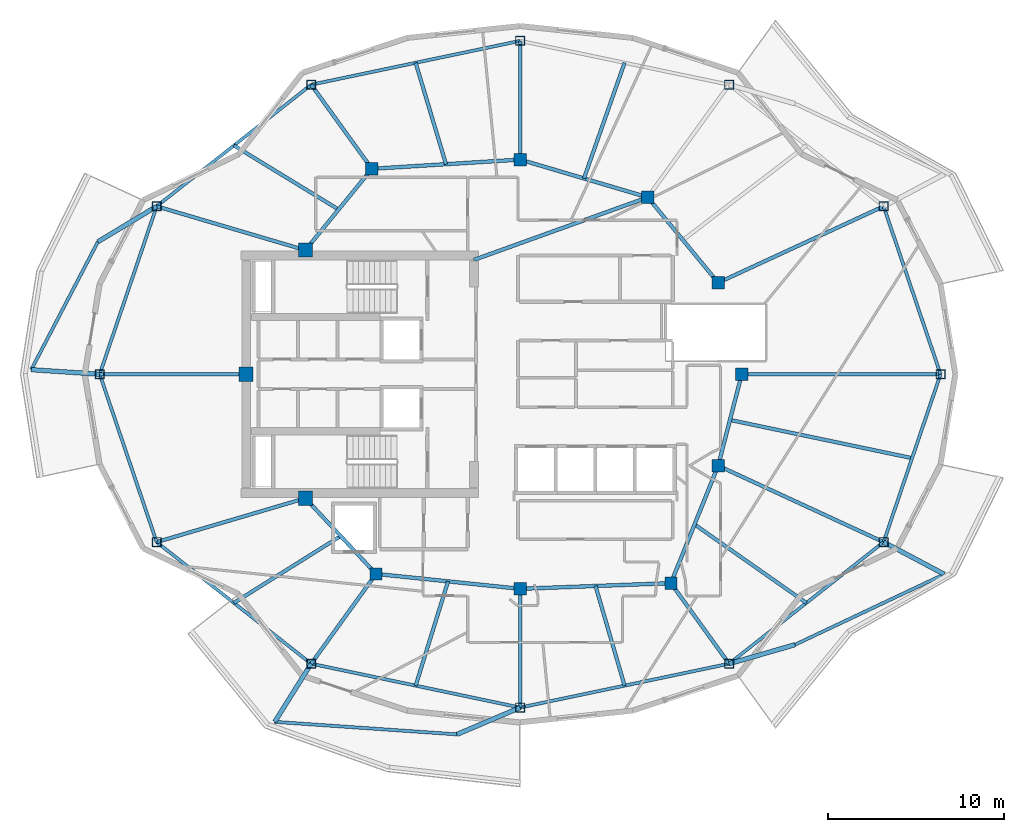
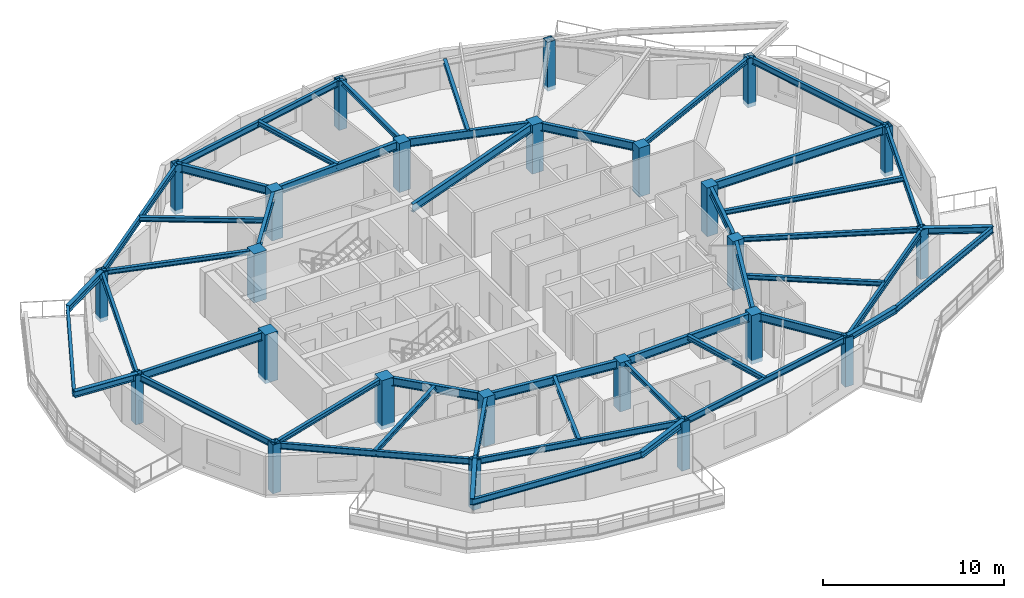
# One storey, part 1 of 10: 48 beams, 24 columns.
"""IFC4 building model written with IfcOpenShell, lengths in metres."""

from ifc_helpers import new_model, si_unit, direction, frame, origin, origin_2d, place, context, subcontext, project, spatial, rectangle, hollow_rectangle, i_section, extrude, material, material_profile, profile_set, type_object, element, save


model = new_model("IFC4")

# Units and contexts
model_context = context("Model", 3, precision=1e-05, world=origin(), true_north=direction((0.0, 1.0)))
body_context = subcontext(model_context, "Body", "Model", "MODEL_VIEW")
ifc_project = project(units=[si_unit("LENGTHUNIT", "METRE"), si_unit("AREAUNIT", "SQUARE_METRE"), si_unit("VOLUMEUNIT", "CUBIC_METRE"), si_unit("PLANEANGLEUNIT", "RADIAN"), si_unit("MASSUNIT", "GRAM", prefix="KILO")], contexts=[model_context])

# Site, building, storey
site_placement = place(None, origin())
site = spatial("IfcSite", under=ifc_project, at=site_placement, CompositionType="ELEMENT")
building_placement = place(site_placement, origin())
building = spatial("IfcBuilding", under=site, at=building_placement, Name="Kolvaren Gate Tower and Convention Centre", CompositionType="ELEMENT")
storey_placement = place(building_placement, frame((0.0, 0.0, 203.0)))
storey = spatial("IfcBuildingStorey", under=building, at=storey_placement, Name="L53", CompositionType="ELEMENT", Elevation=203.0)

# Columns
ifc_material_1 = material(Name="Structural steel ASTM A500 Grade C 345 MPa", Category="steel")
ifc_material_profile_1 = material_profile(ifc_material_1, hollow_rectangle(XDim=0.508056640625, YDim=0.508056640625, WallThickness=0.01904296875, at=origin_2d()), Name="HSS508X508X19.1")
ifc_profile_set_1 = profile_set([ifc_material_profile_1], Name="Structural steel ASTM A500 Grade C 345 MPa")
column_type_1 = type_object("IfcColumnType", Name="STR-COL-HSS508", PredefinedType="COLUMN", material=ifc_profile_set_1)
for number, where, z_axis, x_axis, name in (
    (1, (54.02490234375, 27.0, -0.27001953125), (0.0, 0.0, 1.0), (1.0, 0.0, 0.0), "Tower L53 Perimeter Supercolumn TP-01"),
    (2, (50.787353515625, 36.543701171875, -0.27001953125), (0.0, 0.0, 1.0), (1.0, 0.0, 0.0), "Tower L53 Perimeter Supercolumn TP-02"),
    (3, (42.002685546875, 43.4580078125, -0.27001953125), (0.0, 0.0, 1.0), (1.0, 0.0, 0.0), "Tower L53 Perimeter Supercolumn TP-03"),
    (4, (30.125, 45.949951171875, -0.27001953125), (0.0, 0.0, 1.0), (1.0, 0.0, 0.0), "Tower L53 Perimeter Supercolumn TP-04"),
    (5, (18.247314453125, 43.4580078125, -0.27001953125), (0.0, 0.0, 1.0), (1.0, 0.0, 0.0), "Tower L53 Perimeter Supercolumn TP-05"),
    (6, (9.462646484375, 36.543701171875, -0.27001953125), (0.0, 0.0, 1.0), (1.0, 0.0, 0.0), "Tower L53 Perimeter Supercolumn TP-06"),
    (7, (6.22509765625, 27.0, -0.27001953125), (0.0, 0.0, 1.0), (1.0, 0.0, 0.0), "Tower L53 Perimeter Supercolumn TP-07"),
    (8, (9.462646484375, 17.456298828125, -0.27001953125), (0.0, 0.0, 1.0), (1.0, 0.0, 0.0), "Tower L53 Perimeter Supercolumn TP-08"),
    (9, (18.247314453125, 10.5419921875, -0.27001953125), (0.0, 0.0, 1.0), (1.0, 0.0, 0.0), "Tower L53 Perimeter Supercolumn TP-09"),
    (10, (30.125, 8.050048828125, -0.27001953125), (0.0, 0.0, 1.0), (1.0, 0.0, 0.0), "Tower L53 Perimeter Supercolumn TP-10"),
    (11, (42.002685546875, 10.5419921875, -0.27001953125), (0.0, 0.0, 1.0), (1.0, 0.0, 0.0), "Tower L53 Perimeter Supercolumn TP-11"),
    (12, (50.787353515625, 17.456298828125, -0.27001953125), (0.0, 0.0, 1.0), (1.0, 0.0, 0.0), "Tower L53 Perimeter Supercolumn TP-12"),
):
    element("IfcColumn", number, at=place(storey_placement, frame(where, z_axis=z_axis, x_axis=x_axis)), inside=storey, type_object=column_type_1, Name=name, PredefinedType="COLUMN", context=body_context, shape_type="SweptSolid", body=[
        extrude(hollow_rectangle(XDim=0.508056640625, YDim=0.508056640625, WallThickness=0.01904296875, at=origin_2d()), origin(), (0.0, 0.0, 1.0), 3.300048828125),
    ])
ifc_material_2 = material(Name="Concrete C50/60", Category="concrete")
ifc_material_profile_2 = material_profile(ifc_material_2, rectangle(XDim=0.699951171875, YDim=0.699951171875, at=origin_2d()), Name="RC-COL-700X700")
ifc_profile_set_2 = profile_set([ifc_material_profile_2], Name="Concrete C50/60")
column_type_2 = type_object("IfcColumnType", Name="STR-COL-RC700", PredefinedType="COLUMN", material=ifc_profile_set_2)
for number, where, z_axis, x_axis, name in (
    (13, (42.72509765625, 27.0, -0.27001953125), (0.0, 0.0, 1.0), (1.0, 0.0, 0.0), "Tower L53 Interior Column TI-01"),
    (14, (41.382080078125, 32.199462890625, -0.27001953125), (0.0, 0.0, 1.0), (1.0, 0.0, 0.0), "Tower L53 Interior Column TI-02"),
    (15, (37.381591796875, 37.054931640625, -0.27001953125), (0.0, 0.0, 1.0), (1.0, 0.0, 0.0), "Tower L53 Interior Column TI-03"),
    (16, (30.125, 39.199951171875, -0.27001953125), (0.0, 0.0, 1.0), (1.0, 0.0, 0.0), "Tower L53 Interior Column TI-04"),
    (17, (21.697998046875, 38.6767578125, -0.27001953125), (0.0, 0.0, 1.0), (1.0, 0.0, 0.0), "Tower L53 Interior Column TI-05"),
    (18, (21.93212890625, 15.647705078125, -0.27001953125), (0.0, 0.0, 1.0), (1.0, 0.0, 0.0), "Tower L53 Interior Column TI-06"),
    (19, (30.125, 14.800048828125, -0.27001953125), (0.0, 0.0, 1.0), (1.0, 0.0, 0.0), "Tower L53 Interior Column TI-07"),
    (20, (38.6982421875, 15.12060546875, -0.27001953125), (0.0, 0.0, 1.0), (1.0, 0.0, 0.0), "Tower L53 Interior Column TI-08"),
    (21, (41.382080078125, 21.800537109375, -0.27001953125), (0.0, 0.0, 1.0), (1.0, 0.0, 0.0), "Tower L53 Interior Column TI-09"),
):
    element("IfcColumn", number, at=place(storey_placement, frame(where, z_axis=z_axis, x_axis=x_axis)), inside=storey, type_object=column_type_2, Name=name, PredefinedType="COLUMN", context=body_context, shape_type="SweptSolid", body=[
        extrude(rectangle(XDim=0.699951171875, YDim=0.699951171875, at=origin_2d()), origin(), (0.0, 0.0, 1.0), 3.300048828125),
    ])
ifc_material_3 = material(Name="Concrete C60/75", Category="concrete")
ifc_material_profile_3 = material_profile(ifc_material_3, rectangle(XDim=0.800048828125, YDim=0.800048828125, at=origin_2d()), Name="RC-COL-800X800")
ifc_profile_set_3 = profile_set([ifc_material_profile_3], Name="Concrete C60/75")
column_type_3 = type_object("IfcColumnType", Name="STR-PIL-RC800", PredefinedType="PILASTER", material=ifc_profile_set_3)
for number, where, z_axis, x_axis, name in (
    (22, (17.9140625, 34.050048828125, -0.27001953125), (0.0, 0.0, 1.0), (1.0, 0.0, 0.0), "Tower L53 Core Boundary Pilaster TC-05"),
    (23, (14.550048828125, 27.0, -0.27001953125), (0.0, 0.0, 1.0), (1.0, 0.0, 0.0), "Tower L53 Core Boundary Pilaster TC-06"),
    (24, (17.9140625, 19.949951171875, -0.27001953125), (0.0, 0.0, 1.0), (1.0, 0.0, 0.0), "Tower L53 Core Boundary Pilaster TC-07"),
):
    element("IfcColumn", number, at=place(storey_placement, frame(where, z_axis=z_axis, x_axis=x_axis)), inside=storey, type_object=column_type_3, Name=name, PredefinedType="PILASTER", context=body_context, shape_type="SweptSolid", body=[
        extrude(rectangle(XDim=0.800048828125, YDim=0.800048828125, at=origin_2d()), origin(), (0.0, 0.0, 1.0), 3.300048828125),
    ])

# Beams
ifc_material_4 = material(Name="Structural steel ASTM A992 Grade 345 MPa", Category="steel")
ifc_material_profile_4 = material_profile(ifc_material_4, i_section(OverallWidth=0.260009765625, OverallDepth=0.419921875, WebThickness=0.013427734375, FlangeThickness=0.0224609375, at=origin_2d()), Name="W410X132")
ifc_profile_set_4 = profile_set([ifc_material_profile_4], Name="Structural steel ASTM A992 Grade 345 MPa")
beam_type_1 = type_object("IfcBeamType", Name="STR-BM-W410X132", PredefinedType="BEAM", material=ifc_profile_set_4)
for number, where, z_axis, x_axis, name in (
    (25, (9.462646484375, 36.543701171875, 2.820556640625), (-0.856097890351, -0.516813701575, 0.0), (0.516813701575, -0.856097890351, 0.0), "Tower L54 Planted Balcony Outrigger Cantilever BC-2A"),
    (26, (6.22509765625, 27.0, 2.820556640625), (-0.997825138942, 0.065916554034, 0.0), (-0.065916554034, -0.997825138942, 0.0), "Tower L54 Planted Balcony Outrigger Cantilever BC-2B"),
):
    element("IfcBeam", number, at=place(storey_placement, frame(where, z_axis=z_axis, x_axis=x_axis)), inside=storey, type_object=beam_type_1, Name=name, PredefinedType="BEAM", context=body_context, shape_type="SweptSolid", body=[
        extrude(i_section(OverallWidth=0.260009765625, OverallDepth=0.419921875, WebThickness=0.013427734375, FlangeThickness=0.0224609375, at=origin_2d()), origin(), (0.0, 0.0, 1.0), 3.900146484375),
    ])
for number, where, z_axis, x_axis, name in (
    (27, (18.247314453125, 10.5419921875, 2.820556640625), (-0.531225067521, -0.847230740494, 0.0), (0.847230740494, -0.531225067521, 0.0), "Tower L54 Planted Balcony Outrigger Cantilever BC-3A"),
    (28, (30.125, 8.050048828125, 2.820556640625), (-0.920415965842, -0.390940468386, 0.0), (0.390940468386, -0.920415965842, 0.0), "Tower L54 Planted Balcony Outrigger Cantilever BC-3B"),
    (29, (42.002685546875, 10.5419921875, 2.820556640625), (0.960795374216, 0.277258451421, 0.0), (-0.277258451421, 0.960795374216, 0.0), "Tower L54 Planted Balcony Outrigger Cantilever BC-4A"),
    (30, (50.787353515625, 17.456298828125, 2.820556640625), (0.88362340532, -0.468198331448, 0.0), (0.468198331448, 0.88362340532, 0.0), "Tower L54 Planted Balcony Outrigger Cantilever BC-4B"),
):
    element("IfcBeam", number, at=place(storey_placement, frame(where, z_axis=z_axis, x_axis=x_axis)), inside=storey, type_object=beam_type_1, Name=name, PredefinedType="BEAM", context=body_context, shape_type="SweptSolid", body=[
        extrude(i_section(OverallWidth=0.260009765625, OverallDepth=0.419921875, WebThickness=0.013427734375, FlangeThickness=0.0224609375, at=origin_2d()), origin(), (0.0, 0.0, 1.0), 3.89990234375),
    ])
ifc_material_profile_5 = material_profile(ifc_material_4, i_section(OverallWidth=0.2119140625, OverallDepth=0.5439453125, WebThickness=0.01318359375, FlangeThickness=0.021240234375, at=origin_2d()), Name="W530X123")
ifc_profile_set_5 = profile_set([ifc_material_profile_5], Name="Structural steel ASTM A992 Grade 345 MPa")
beam_type_2 = type_object("IfcBeamType", Name="STR-BM-W530X123", PredefinedType="BEAM", material=ifc_profile_set_5)
beam_1_placement = place(storey_placement, frame((42.72509765625, 27.0, 2.758056640625), z_axis=(-0.250091133936, -0.968222301296, 0.0), x_axis=(0.968222301296, -0.250091133936, 0.0)))
element("IfcBeam", 31, at=beam_1_placement, inside=storey, type_object=beam_type_2, Name="Tower L53 Primary Ring Girder G-01", PredefinedType="BEAM", context=body_context, shape_type="SweptSolid", body=[
    extrude(i_section(OverallWidth=0.2119140625, OverallDepth=0.5439453125, WebThickness=0.01318359375, FlangeThickness=0.021240234375, at=origin_2d()), origin(), (0.0, 0.0, 1.0), 5.3701171875),
])
beam_2_placement = place(storey_placement, frame((41.382080078125, 32.199462890625, 2.758056640625), z_axis=(-0.635884066011, 0.771784590798, 0.0), x_axis=(-0.771784590798, -0.635884066011, 0.0)))
element("IfcBeam", 32, at=beam_2_placement, inside=storey, type_object=beam_type_2, Name="Tower L53 Primary Ring Girder G-02", PredefinedType="BEAM", context=body_context, shape_type="SweptSolid", body=[
    extrude(i_section(OverallWidth=0.2119140625, OverallDepth=0.5439453125, WebThickness=0.01318359375, FlangeThickness=0.021240234375, at=origin_2d()), origin(), (0.0, 0.0, 1.0), 6.291259765625),
])
beam_3_placement = place(storey_placement, frame((37.381591796875, 37.054931640625, 2.758056640625), z_axis=(-0.958980837827, 0.283470902706, 0.0), x_axis=(-0.283470902706, -0.958980837827, 0.0)))
element("IfcBeam", 33, at=beam_3_placement, inside=storey, type_object=beam_type_2, Name="Tower L53 Primary Ring Girder G-03", PredefinedType="BEAM", context=body_context, shape_type="SweptSolid", body=[
    extrude(i_section(OverallWidth=0.2119140625, OverallDepth=0.5439453125, WebThickness=0.01318359375, FlangeThickness=0.021240234375, at=origin_2d()), origin(), (0.0, 0.0, 1.0), 7.56689453125),
])
beam_4_placement = place(storey_placement, frame((30.125, 39.199951171875, 2.758056640625), z_axis=(-0.998078258568, -0.06196603726, 0.0), x_axis=(0.06196603726, -0.998078258568, 0.0)))
element("IfcBeam", 34, at=beam_4_placement, inside=storey, type_object=beam_type_2, Name="Tower L53 Primary Ring Girder G-04", PredefinedType="BEAM", context=body_context, shape_type="SweptSolid", body=[
    extrude(i_section(OverallWidth=0.2119140625, OverallDepth=0.5439453125, WebThickness=0.01318359375, FlangeThickness=0.021240234375, at=origin_2d()), origin(), (0.0, 0.0, 1.0), 8.443115234375),
])
beam_5_placement = place(storey_placement, frame((21.697998046875, 38.6767578125, 2.758056640625), z_axis=(-0.633082074904, -0.774084676528, 0.0), x_axis=(0.774084676528, -0.633082074904, 0.0)))
element("IfcBeam", 35, at=beam_5_placement, inside=storey, type_object=beam_type_2, Name="Tower L53 Primary Ring Girder G-05", PredefinedType="BEAM", context=body_context, shape_type="SweptSolid", body=[
    extrude(i_section(OverallWidth=0.2119140625, OverallDepth=0.5439453125, WebThickness=0.01318359375, FlangeThickness=0.021240234375, at=origin_2d()), origin(), (0.0, 0.0, 1.0), 5.97705078125),
])
beam_6_placement = place(storey_placement, frame((17.9140625, 19.949951171875, 2.758056640625), z_axis=(0.682557592987, -0.730831808459, 0.0), x_axis=(0.730831808459, 0.682557592987, 0.0)))
element("IfcBeam", 36, at=beam_6_placement, inside=storey, type_object=beam_type_2, Name="Tower L53 Primary Ring Girder G-06", PredefinedType="BEAM", context=body_context, shape_type="SweptSolid", body=[
    extrude(i_section(OverallWidth=0.2119140625, OverallDepth=0.5439453125, WebThickness=0.01318359375, FlangeThickness=0.021240234375, at=origin_2d()), origin(), (0.0, 0.0, 1.0), 5.88671875),
])
beam_7_placement = place(storey_placement, frame((21.93212890625, 15.647705078125, 2.758056640625), z_axis=(0.994690329115, -0.102913308978, 0.0), x_axis=(0.102913308978, 0.994690329115, 0.0)))
element("IfcBeam", 37, at=beam_7_placement, inside=storey, type_object=beam_type_2, Name="Tower L53 Primary Ring Girder G-07", PredefinedType="BEAM", context=body_context, shape_type="SweptSolid", body=[
    extrude(i_section(OverallWidth=0.2119140625, OverallDepth=0.5439453125, WebThickness=0.01318359375, FlangeThickness=0.021240234375, at=origin_2d()), origin(), (0.0, 0.0, 1.0), 8.236572265625),
])
beam_8_placement = place(storey_placement, frame((30.125, 14.800048828125, 2.758056640625), z_axis=(0.999301712453, 0.037364254142, 0.0), x_axis=(-0.037364254142, 0.999301712453, 0.0)))
element("IfcBeam", 38, at=beam_8_placement, inside=storey, type_object=beam_type_2, Name="Tower L53 Primary Ring Girder G-08", PredefinedType="BEAM", context=body_context, shape_type="SweptSolid", body=[
    extrude(i_section(OverallWidth=0.2119140625, OverallDepth=0.5439453125, WebThickness=0.01318359375, FlangeThickness=0.021240234375, at=origin_2d()), origin(), (0.0, 0.0, 1.0), 8.579345703125),
])
beam_9_placement = place(storey_placement, frame((38.6982421875, 15.12060546875, 2.758056640625), z_axis=(0.372811100169, 0.927907260232, 0.0), x_axis=(-0.927907260232, 0.372811100169, 0.0)))
element("IfcBeam", 39, at=beam_9_placement, inside=storey, type_object=beam_type_2, Name="Tower L53 Primary Ring Girder G-09", PredefinedType="BEAM", context=body_context, shape_type="SweptSolid", body=[
    extrude(i_section(OverallWidth=0.2119140625, OverallDepth=0.5439453125, WebThickness=0.01318359375, FlangeThickness=0.021240234375, at=origin_2d()), origin(), (0.0, 0.0, 1.0), 7.198974609375),
])
beam_10_placement = place(storey_placement, frame((27.5, 33.5, 2.758056640625), z_axis=(0.940961479908, 0.338513653093, 0.0), x_axis=(-0.338513653093, 0.940961479908, 0.0)))
element("IfcBeam", 40, at=beam_10_placement, inside=storey, type_object=beam_type_2, Name="Tower L53 Primary Ring Girder G-10", PredefinedType="BEAM", context=body_context, shape_type="SweptSolid", body=[
    extrude(i_section(OverallWidth=0.2119140625, OverallDepth=0.5439453125, WebThickness=0.01318359375, FlangeThickness=0.021240234375, at=origin_2d()), origin(), (0.0, 0.0, 1.0), 10.501708984375),
])
beam_11_placement = place(storey_placement, frame((42.72509765625, 27.0, 2.758056640625), z_axis=(1.0, 0.0, 0.0), x_axis=(0.0, 1.0, 0.0)))
element("IfcBeam", 41, at=beam_11_placement, inside=storey, type_object=beam_type_2, Name="Tower L53 Radial Floor Girder RB-01", PredefinedType="BEAM", context=body_context, shape_type="SweptSolid", body=[
    extrude(i_section(OverallWidth=0.2119140625, OverallDepth=0.5439453125, WebThickness=0.01318359375, FlangeThickness=0.021240234375, at=origin_2d()), origin(), (0.0, 0.0, 1.0), 11.2998046875),
])
beam_12_placement = place(storey_placement, frame((21.697998046875, 38.6767578125, 2.758056640625), z_axis=(-0.585218406802, 0.810875709552, 0.0), x_axis=(-0.810875709552, -0.585218406802, 0.0)))
element("IfcBeam", 42, at=beam_12_placement, inside=storey, type_object=beam_type_2, Name="Tower L53 Radial Floor Girder RB-05", PredefinedType="BEAM", context=body_context, shape_type="SweptSolid", body=[
    extrude(i_section(OverallWidth=0.2119140625, OverallDepth=0.5439453125, WebThickness=0.01318359375, FlangeThickness=0.021240234375, at=origin_2d()), origin(), (0.0, 0.0, 1.0), 5.896484375),
])
beam_13_placement = place(storey_placement, frame((14.550048828125, 27.0, 2.758056640625), z_axis=(-1.0, 0.0, 0.0), x_axis=(0.0, -1.0, 0.0)))
element("IfcBeam", 43, at=beam_13_placement, inside=storey, type_object=beam_type_2, Name="Tower L53 Radial Floor Girder RB-07", PredefinedType="BEAM", context=body_context, shape_type="SweptSolid", body=[
    extrude(i_section(OverallWidth=0.2119140625, OverallDepth=0.5439453125, WebThickness=0.01318359375, FlangeThickness=0.021240234375, at=origin_2d()), origin(), (0.0, 0.0, 1.0), 8.324951171875),
])
beam_14_placement = place(storey_placement, frame((21.93212890625, 15.647705078125, 2.758056640625), z_axis=(-0.585214462319, -0.810878556316, 0.0), x_axis=(0.810878556316, -0.585214462319, 0.0)))
element("IfcBeam", 44, at=beam_14_placement, inside=storey, type_object=beam_type_2, Name="Tower L53 Radial Floor Girder RB-09", PredefinedType="BEAM", context=body_context, shape_type="SweptSolid", body=[
    extrude(i_section(OverallWidth=0.2119140625, OverallDepth=0.5439453125, WebThickness=0.01318359375, FlangeThickness=0.021240234375, at=origin_2d()), origin(), (0.0, 0.0, 1.0), 6.296630859375),
])
beam_15_placement = place(storey_placement, frame((38.6982421875, 15.12060546875, 2.758056640625), z_axis=(0.585218993275, -0.810875286286, 0.0), x_axis=(0.810875286286, 0.585218993275, 0.0)))
element("IfcBeam", 45, at=beam_15_placement, inside=storey, type_object=beam_type_2, Name="Tower L53 Radial Floor Girder RB-11", PredefinedType="BEAM", context=body_context, shape_type="SweptSolid", body=[
    extrude(i_section(OverallWidth=0.2119140625, OverallDepth=0.5439453125, WebThickness=0.01318359375, FlangeThickness=0.021240234375, at=origin_2d()), origin(), (0.0, 0.0, 1.0), 5.646484375),
])
ifc_material_profile_6 = material_profile(ifc_material_4, i_section(OverallWidth=0.205078125, OverallDepth=0.31005859375, WebThickness=0.009521484375, FlangeThickness=0.016357421875, at=origin_2d()), Name="W310X74")
ifc_profile_set_6 = profile_set([ifc_material_profile_6], Name="Structural steel ASTM A992 Grade 345 MPa")
beam_type_3 = type_object("IfcBeamType", Name="STR-JS-W310X74", PredefinedType="JOIST", material=ifc_profile_set_6)
beam_16_placement = place(storey_placement, frame((41.382080078125, 32.199462890625, 2.875), z_axis=(0.907836575129, 0.419324162025, 0.0), x_axis=(-0.419324162025, 0.907836575129, 0.0)))
element("IfcBeam", 46, at=beam_16_placement, inside=storey, type_object=beam_type_3, Name="Tower L53 Radial Floor Girder RB-02", PredefinedType="JOIST", context=body_context, shape_type="SweptSolid", body=[
    extrude(i_section(OverallWidth=0.205078125, OverallDepth=0.31005859375, WebThickness=0.009521484375, FlangeThickness=0.016357421875, at=origin_2d()), origin(), (0.0, 0.0, 1.0), 10.360107421875),
])
beam_17_placement = place(storey_placement, frame((30.125, 39.199951171875, 2.875), z_axis=(0.0, 1.0, 0.0), x_axis=(-1.0, 0.0, 0.0)))
element("IfcBeam", 47, at=beam_17_placement, inside=storey, type_object=beam_type_3, Name="Tower L53 Radial Floor Girder RB-04", PredefinedType="JOIST", context=body_context, shape_type="SweptSolid", body=[
    extrude(i_section(OverallWidth=0.205078125, OverallDepth=0.31005859375, WebThickness=0.009521484375, FlangeThickness=0.016357421875, at=origin_2d()), origin(), (0.0, 0.0, 1.0), 6.75),
])
for number, where, z_axis, x_axis, name in (
    (48, (17.9140625, 34.050048828125, 2.875), (-0.959121165581, 0.28299574155, 0.0), (-0.28299574155, -0.959121165581, 0.0), "Tower L53 Radial Floor Girder RB-06"),
    (49, (17.9140625, 19.949951171875, 2.875), (-0.959121165581, -0.28299574155, 0.0), (0.28299574155, -0.959121165581, 0.0), "Tower L53 Radial Floor Girder RB-08"),
):
    element("IfcBeam", number, at=place(storey_placement, frame(where, z_axis=z_axis, x_axis=x_axis)), inside=storey, type_object=beam_type_3, Name=name, PredefinedType="JOIST", context=body_context, shape_type="SweptSolid", body=[
        extrude(i_section(OverallWidth=0.205078125, OverallDepth=0.31005859375, WebThickness=0.009521484375, FlangeThickness=0.016357421875, at=origin_2d()), origin(), (0.0, 0.0, 1.0), 8.8115234375),
    ])
beam_18_placement = place(storey_placement, frame((30.125, 14.800048828125, 2.875), z_axis=(0.0, -1.0, 0.0), x_axis=(1.0, 0.0, 0.0)))
element("IfcBeam", 50, at=beam_18_placement, inside=storey, type_object=beam_type_3, Name="Tower L53 Radial Floor Girder RB-10", PredefinedType="JOIST", context=body_context, shape_type="SweptSolid", body=[
    extrude(i_section(OverallWidth=0.205078125, OverallDepth=0.31005859375, WebThickness=0.009521484375, FlangeThickness=0.016357421875, at=origin_2d()), origin(), (0.0, 0.0, 1.0), 6.75),
])
beam_19_placement = place(storey_placement, frame((41.382080078125, 21.800537109375, 2.875), z_axis=(0.907836575129, -0.419324162025, 0.0), x_axis=(0.419324162025, 0.907836575129, 0.0)))
element("IfcBeam", 51, at=beam_19_placement, inside=storey, type_object=beam_type_3, Name="Tower L53 Radial Floor Girder RB-12", PredefinedType="JOIST", context=body_context, shape_type="SweptSolid", body=[
    extrude(i_section(OverallWidth=0.205078125, OverallDepth=0.31005859375, WebThickness=0.009521484375, FlangeThickness=0.016357421875, at=origin_2d()), origin(), (0.0, 0.0, 1.0), 10.360107421875),
])
beam_20_placement = place(storey_placement, frame((33.75341796875, 38.12744140625, 2.875), z_axis=(0.331432911821, 0.943478788824, 0.0), x_axis=(-0.943478788824, 0.331432911821, 0.0)))
element("IfcBeam", 52, at=beam_20_placement, inside=storey, type_object=beam_type_3, Name="Tower L53 Secondary Composite Floor Joist J-03.1", PredefinedType="JOIST", context=body_context, shape_type="SweptSolid", body=[
    extrude(i_section(OverallWidth=0.205078125, OverallDepth=0.31005859375, WebThickness=0.009521484375, FlangeThickness=0.016357421875, at=origin_2d()), origin(), (0.0, 0.0, 1.0), 6.970703125),
])
beam_21_placement = place(storey_placement, frame((25.91162109375, 38.938232421875, 2.875), z_axis=(-0.286674209033, 0.958028130002, 0.0), x_axis=(-0.958028130002, -0.286674209033, 0.0)))
element("IfcBeam", 53, at=beam_21_placement, inside=storey, type_object=beam_type_3, Name="Tower L53 Secondary Composite Floor Joist J-04.1", PredefinedType="JOIST", context=body_context, shape_type="SweptSolid", body=[
    extrude(i_section(OverallWidth=0.205078125, OverallDepth=0.31005859375, WebThickness=0.009521484375, FlangeThickness=0.016357421875, at=origin_2d()), origin(), (0.0, 0.0, 1.0), 6.0185546875),
])
beam_22_placement = place(storey_placement, frame((19.805908203125, 36.36328125, 2.875), z_axis=(-0.853232509014, 0.52153071392, 0.0), x_axis=(-0.52153071392, -0.853232509014, 0.0)))
element("IfcBeam", 54, at=beam_22_placement, inside=storey, type_object=beam_type_3, Name="Tower L53 Secondary Composite Floor Joist J-05.1", PredefinedType="JOIST", context=body_context, shape_type="SweptSolid", body=[
    extrude(i_section(OverallWidth=0.205078125, OverallDepth=0.31005859375, WebThickness=0.009521484375, FlangeThickness=0.016357421875, at=origin_2d()), origin(), (0.0, 0.0, 1.0), 6.974609375),
])
beam_23_placement = place(storey_placement, frame((19.923095703125, 17.798828125, 2.875), z_axis=(-0.847559309278, -0.530700685186, 0.0), x_axis=(0.530700685186, -0.847559309278, 0.0)))
element("IfcBeam", 55, at=beam_23_placement, inside=storey, type_object=beam_type_3, Name="Tower L53 Secondary Composite Floor Joist J-08.1", PredefinedType="JOIST", context=body_context, shape_type="SweptSolid", body=[
    extrude(i_section(OverallWidth=0.205078125, OverallDepth=0.31005859375, WebThickness=0.009521484375, FlangeThickness=0.016357421875, at=origin_2d()), origin(), (0.0, 0.0, 1.0), 7.159423828125),
])
beam_24_placement = place(storey_placement, frame((26.028564453125, 15.223876953125, 2.875), z_axis=(-0.296776485487, -0.954946971126, 0.0), x_axis=(0.954946971126, -0.296776485487, 0.0)))
element("IfcBeam", 56, at=beam_24_placement, inside=storey, type_object=beam_type_3, Name="Tower L53 Secondary Composite Floor Joist J-09.1", PredefinedType="JOIST", context=body_context, shape_type="SweptSolid", body=[
    extrude(i_section(OverallWidth=0.205078125, OverallDepth=0.31005859375, WebThickness=0.009521484375, FlangeThickness=0.016357421875, at=origin_2d()), origin(), (0.0, 0.0, 1.0), 6.207763671875),
])
beam_25_placement = place(storey_placement, frame((34.41162109375, 14.960205078125, 2.875), z_axis=(0.280001588896, -0.959999536571, 0.0), x_axis=(0.959999536571, 0.280001588896, 0.0)))
element("IfcBeam", 57, at=beam_25_placement, inside=storey, type_object=beam_type_3, Name="Tower L53 Secondary Composite Floor Joist J-10.1", PredefinedType="JOIST", context=body_context, shape_type="SweptSolid", body=[
    extrude(i_section(OverallWidth=0.205078125, OverallDepth=0.31005859375, WebThickness=0.009521484375, FlangeThickness=0.016357421875, at=origin_2d()), origin(), (0.0, 0.0, 1.0), 5.900390625),
])
beam_26_placement = place(storey_placement, frame((40.040283203125, 18.46044921875, 2.875), z_axis=(0.81845266589, -0.574573958423, 0.0), x_axis=(0.574573958423, 0.81845266589, 0.0)))
element("IfcBeam", 58, at=beam_26_placement, inside=storey, type_object=beam_type_3, Name="Tower L53 Secondary Composite Floor Joist J-11.1", PredefinedType="JOIST", context=body_context, shape_type="SweptSolid", body=[
    extrude(i_section(OverallWidth=0.205078125, OverallDepth=0.31005859375, WebThickness=0.009521484375, FlangeThickness=0.016357421875, at=origin_2d()), origin(), (0.0, 0.0, 1.0), 7.764404296875),
])
beam_27_placement = place(storey_placement, frame((42.0537109375, 24.400146484375, 2.875), z_axis=(0.978694513543, -0.205321818519, 0.0), x_axis=(0.205321818519, 0.978694513543, 0.0)))
element("IfcBeam", 59, at=beam_27_placement, inside=storey, type_object=beam_type_3, Name="Tower L53 Secondary Composite Floor Joist J-12.1", PredefinedType="JOIST", context=body_context, shape_type="SweptSolid", body=[
    extrude(i_section(OverallWidth=0.205078125, OverallDepth=0.31005859375, WebThickness=0.009521484375, FlangeThickness=0.016357421875, at=origin_2d()), origin(), (0.0, 0.0, 1.0), 10.577880859375),
])
ifc_material_profile_7 = material_profile(ifc_material_4, i_section(OverallWidth=0.180908203125, OverallDepth=0.4169921875, WebThickness=0.010986328125, FlangeThickness=0.018310546875, at=origin_2d()), Name="W410X85")
ifc_profile_set_7 = profile_set([ifc_material_profile_7], Name="Structural steel ASTM A992 Grade 345 MPa")
beam_type_4 = type_object("IfcBeamType", Name="STR-SP-W410X85", PredefinedType="SPANDREL", material=ifc_profile_set_7)
beam_28_placement = place(storey_placement, frame((54.02490234375, 27.0, 2.821533203125), z_axis=(-0.321252507379, 0.946993572577, 0.0), x_axis=(-0.946993572577, -0.321252507379, 0.0)))
element("IfcBeam", 60, at=beam_28_placement, inside=storey, type_object=beam_type_4, Name="Tower L53 Perimeter Spandrel Beam SP-01", PredefinedType="SPANDREL", context=body_context, shape_type="SweptSolid", body=[
    extrude(i_section(OverallWidth=0.180908203125, OverallDepth=0.4169921875, WebThickness=0.010986328125, FlangeThickness=0.018310546875, at=origin_2d()), origin(), (0.0, 0.0, 1.0), 10.077880859375),
])
beam_29_placement = place(storey_placement, frame((30.125, 45.949951171875, 2.821533203125), z_axis=(-0.978692765917, -0.205330148645, 0.0), x_axis=(0.205330148645, -0.978692765917, 0.0)))
element("IfcBeam", 61, at=beam_29_placement, inside=storey, type_object=beam_type_4, Name="Tower L53 Perimeter Spandrel Beam SP-04", PredefinedType="SPANDREL", context=body_context, shape_type="SweptSolid", body=[
    extrude(i_section(OverallWidth=0.180908203125, OverallDepth=0.4169921875, WebThickness=0.010986328125, FlangeThickness=0.018310546875, at=origin_2d()), origin(), (0.0, 0.0, 1.0), 12.13623046875),
])
beam_30_placement = place(storey_placement, frame((18.247314453125, 43.4580078125, 2.821533203125), z_axis=(-0.78579365551, -0.618488747643, 0.0), x_axis=(0.618488747643, -0.78579365551, 0.0)))
element("IfcBeam", 62, at=beam_30_placement, inside=storey, type_object=beam_type_4, Name="Tower L53 Perimeter Spandrel Beam SP-05", PredefinedType="SPANDREL", context=body_context, shape_type="SweptSolid", body=[
    extrude(i_section(OverallWidth=0.180908203125, OverallDepth=0.4169921875, WebThickness=0.010986328125, FlangeThickness=0.018310546875, at=origin_2d()), origin(), (0.0, 0.0, 1.0), 11.179443359375),
])
for number, where, z_axis, x_axis, name in (
    (63, (9.462646484375, 36.543701171875, 2.821533203125), (-0.321252507379, -0.946993572577, 0.0), (0.946993572577, -0.321252507379, 0.0), "Tower L53 Perimeter Spandrel Beam SP-06"),
    (64, (6.22509765625, 27.0, 2.821533203125), (0.321252507379, -0.946993572577, 0.0), (0.946993572577, 0.321252507379, 0.0), "Tower L53 Perimeter Spandrel Beam SP-07"),
):
    element("IfcBeam", number, at=place(storey_placement, frame(where, z_axis=z_axis, x_axis=x_axis)), inside=storey, type_object=beam_type_4, Name=name, PredefinedType="SPANDREL", context=body_context, shape_type="SweptSolid", body=[
        extrude(i_section(OverallWidth=0.180908203125, OverallDepth=0.4169921875, WebThickness=0.010986328125, FlangeThickness=0.018310546875, at=origin_2d()), origin(), (0.0, 0.0, 1.0), 10.077880859375),
    ])
beam_31_placement = place(storey_placement, frame((9.462646484375, 17.456298828125, 2.821533203125), z_axis=(0.78579365551, -0.618488747643, 0.0), x_axis=(0.618488747643, 0.78579365551, 0.0)))
element("IfcBeam", 65, at=beam_31_placement, inside=storey, type_object=beam_type_4, Name="Tower L53 Perimeter Spandrel Beam SP-08", PredefinedType="SPANDREL", context=body_context, shape_type="SweptSolid", body=[
    extrude(i_section(OverallWidth=0.180908203125, OverallDepth=0.4169921875, WebThickness=0.010986328125, FlangeThickness=0.018310546875, at=origin_2d()), origin(), (0.0, 0.0, 1.0), 11.179443359375),
])
for number, where, z_axis, x_axis, name in (
    (66, (18.247314453125, 10.5419921875, 2.821533203125), (0.978692765917, -0.205330148645, 0.0), (0.205330148645, 0.978692765917, 0.0), "Tower L53 Perimeter Spandrel Beam SP-09"),
    (67, (30.125, 8.050048828125, 2.821533203125), (0.978692765917, 0.205330148645, 0.0), (-0.205330148645, 0.978692765917, 0.0), "Tower L53 Perimeter Spandrel Beam SP-10"),
):
    element("IfcBeam", number, at=place(storey_placement, frame(where, z_axis=z_axis, x_axis=x_axis)), inside=storey, type_object=beam_type_4, Name=name, PredefinedType="SPANDREL", context=body_context, shape_type="SweptSolid", body=[
        extrude(i_section(OverallWidth=0.180908203125, OverallDepth=0.4169921875, WebThickness=0.010986328125, FlangeThickness=0.018310546875, at=origin_2d()), origin(), (0.0, 0.0, 1.0), 12.13623046875),
    ])
beam_32_placement = place(storey_placement, frame((42.002685546875, 10.5419921875, 2.821533203125), z_axis=(0.78579365551, 0.618488747643, 0.0), x_axis=(-0.618488747643, 0.78579365551, 0.0)))
element("IfcBeam", 68, at=beam_32_placement, inside=storey, type_object=beam_type_4, Name="Tower L53 Perimeter Spandrel Beam SP-11", PredefinedType="SPANDREL", context=body_context, shape_type="SweptSolid", body=[
    extrude(i_section(OverallWidth=0.180908203125, OverallDepth=0.4169921875, WebThickness=0.010986328125, FlangeThickness=0.018310546875, at=origin_2d()), origin(), (0.0, 0.0, 1.0), 11.179443359375),
])
beam_33_placement = place(storey_placement, frame((50.787353515625, 17.456298828125, 2.821533203125), z_axis=(0.321252507379, 0.946993572577, 0.0), x_axis=(-0.946993572577, 0.321252507379, 0.0)))
element("IfcBeam", 69, at=beam_33_placement, inside=storey, type_object=beam_type_4, Name="Tower L53 Perimeter Spandrel Beam SP-12", PredefinedType="SPANDREL", context=body_context, shape_type="SweptSolid", body=[
    extrude(i_section(OverallWidth=0.180908203125, OverallDepth=0.4169921875, WebThickness=0.010986328125, FlangeThickness=0.018310546875, at=origin_2d()), origin(), (0.0, 0.0, 1.0), 10.077880859375),
])
beam_34_placement = place(storey_placement, frame((6.123779296875, 34.528076171875, 2.822021484375), z_axis=(-0.462251551917, -0.886748838595, 0.0), x_axis=(0.886748838595, -0.462251551917, 0.0)))
element("IfcBeam", 70, at=beam_34_placement, inside=storey, type_object=beam_type_4, Name="Tower L54 Planted Balcony Header Tie Beam BT-2", PredefinedType="SPANDREL", context=body_context, shape_type="SweptSolid", body=[
    extrude(i_section(OverallWidth=0.180908203125, OverallDepth=0.4169921875, WebThickness=0.010986328125, FlangeThickness=0.018310546875, at=origin_2d()), origin(), (0.0, 0.0, 1.0), 8.19970703125),
])
beam_35_placement = place(storey_placement, frame((16.175537109375, 7.23779296875, 2.822021484375), z_axis=(0.997643997623, -0.068603600534, 0.0), x_axis=(0.068603600534, 0.997643997623, 0.0)))
element("IfcBeam", 71, at=beam_35_placement, inside=storey, type_object=beam_type_4, Name="Tower L54 Planted Balcony Header Tie Beam BT-3", PredefinedType="SPANDREL", context=body_context, shape_type="SweptSolid", body=[
    extrude(i_section(OverallWidth=0.180908203125, OverallDepth=0.4169921875, WebThickness=0.010986328125, FlangeThickness=0.018310546875, at=origin_2d()), origin(), (0.0, 0.0, 1.0), 10.38427734375),
])
beam_36_placement = place(storey_placement, frame((45.749755859375, 11.623291015625, 2.822021484375), z_axis=(0.90421096583, 0.427086091173, 0.0), x_axis=(-0.427086091173, 0.90421096583, 0.0)))
element("IfcBeam", 72, at=beam_36_placement, inside=storey, type_object=beam_type_4, Name="Tower L54 Planted Balcony Header Tie Beam BT-4", PredefinedType="SPANDREL", context=body_context, shape_type="SweptSolid", body=[
    extrude(i_section(OverallWidth=0.180908203125, OverallDepth=0.4169921875, WebThickness=0.010986328125, FlangeThickness=0.018310546875, at=origin_2d()), origin(), (0.0, 0.0, 1.0), 9.38232421875),
])

save(model, "model.ifc")
